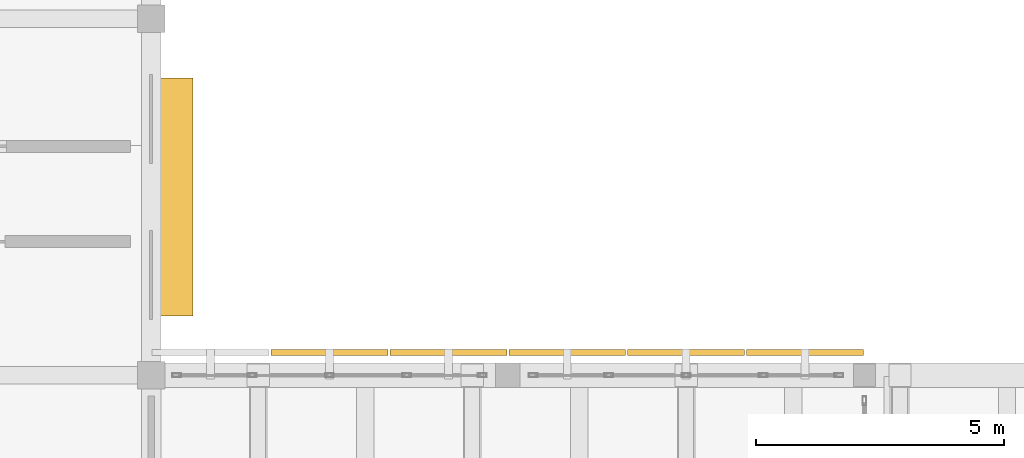
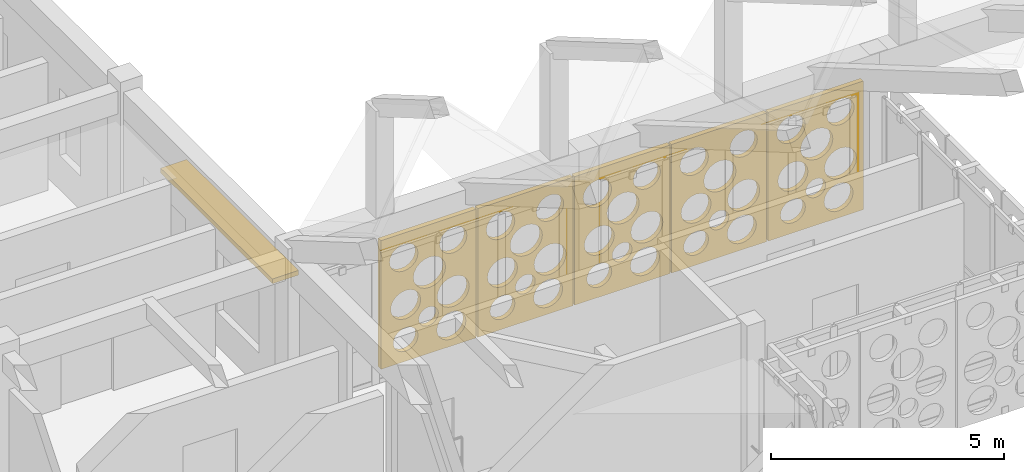
# One storey, part 165 of 171: 5 coverings, 1 shading device.
"""IFC4 building model written with IfcOpenShell, lengths in metres."""

from ifc_helpers import new_model, si_unit, direction, frame, origin, origin_2d, place, context, subcontext, project, spatial, polyline, rectangle, outline, extrude, material, layer, layer_set, type_object, element, save


model = new_model("IFC4")

# Units and contexts
model_context = context("Model", 3, precision=1e-05, world=origin(), true_north=direction((0.0, 1.0)))
body_context = subcontext(model_context, "Body", "Model", "MODEL_VIEW")
ifc_project = project(units=[si_unit("LENGTHUNIT", "METRE"), si_unit("AREAUNIT", "SQUARE_METRE"), si_unit("VOLUMEUNIT", "CUBIC_METRE"), si_unit("PLANEANGLEUNIT", "RADIAN"), si_unit("MASSUNIT", "GRAM", prefix="KILO")], contexts=[model_context])

# Site, building, storey
site_placement = place(None, origin())
site = spatial("IfcSite", under=ifc_project, at=site_placement, CompositionType="ELEMENT")
building_placement = place(site_placement, origin())
building = spatial("IfcBuilding", under=site, at=building_placement, Name="Aldebral Square Health Centre", CompositionType="ELEMENT")
storey_placement = place(building_placement, frame((0.0, 0.0, 4.5)))
storey = spatial("IfcBuildingStorey", under=building, at=storey_placement, Name="L01", CompositionType="ELEMENT", Elevation=4.5)

# Coverings
ifc_material_1 = material(Name="Cream cantera perforated stone screen", Category="masonry")
ifc_layer = layer(ifc_material_1, 0.1201171875, Name="Cream cantera perforated stone screen", Category="masonry")
ifc_layer_set = layer_set([ifc_layer], Name="Cream cantera perforated stone screen")
covering_type = type_object("IfcCoveringType", Name="COV-SCR-120", PredefinedType="CLADDING", material=ifc_layer_set)
covering_1_placement = place(storey_placement, frame((71.97998046875, 101.260009765625, 0.0), z_axis=(0.0, 0.0, 1.0), x_axis=(-1.0, 0.0, 0.0)))
element("IfcCovering", 1, at=covering_1_placement, inside=storey, type_object=covering_type, Name="L01 V1 circular-aperture stone screen L01-V1-09-13-N.1", PredefinedType="CLADDING", context=body_context, shape_type="SweptSolid", body=[
    extrude(outline(polyline([(0.0, 0.0), (2.35986328125, 0.0), (2.35986328125, 3.3701171875), (0.0, 3.3701171875), (0.0, 0.0)]), holes=[polyline([(0.973388671875, 0.539306640625), (0.955810546875, 0.427978515625), (0.90478515625, 0.32763671875), (0.8251953125, 0.248046875), (0.724853515625, 0.197021484375), (0.613525390625, 0.17919921875), (0.50244140625, 0.197021484375), (0.402099609375, 0.248046875), (0.322509765625, 0.32763671875), (0.271240234375, 0.427978515625), (0.253662109375, 0.539306640625), (0.271240234375, 0.650390625), (0.322509765625, 0.750732421875), (0.402099609375, 0.830322265625), (0.50244140625, 0.881591796875), (0.613525390625, 0.899169921875), (0.724853515625, 0.881591796875), (0.8251953125, 0.830322265625), (0.90478515625, 0.750732421875), (0.955810546875, 0.650390625), (0.973388671875, 0.539306640625)]), polyline([(2.0546875, 0.572998046875), (2.039794921875, 0.4775390625), (1.995849609375, 0.3916015625), (1.927734375, 0.323486328125), (1.841796875, 0.279541015625), (1.746337890625, 0.264404296875), (1.651123046875, 0.279541015625), (1.565185546875, 0.323486328125), (1.496826171875, 0.3916015625), (1.453125, 0.4775390625), (1.43798828125, 0.572998046875), (1.453125, 0.668212890625), (1.496826171875, 0.754150390625), (1.565185546875, 0.822509765625), (1.651123046875, 0.8662109375), (1.746337890625, 0.88134765625), (1.841796875, 0.8662109375), (1.927734375, 0.822509765625), (1.995849609375, 0.754150390625), (2.039794921875, 0.668212890625), (2.0546875, 0.572998046875)]), polyline([(0.9619140625, 1.415283203125), (0.942626953125, 1.293212890625), (0.886474609375, 1.182861328125), (0.798828125, 1.095458984375), (0.688720703125, 1.039306640625), (0.56640625, 1.02001953125), (0.444091796875, 1.039306640625), (0.333984375, 1.095458984375), (0.246337890625, 1.182861328125), (0.190185546875, 1.293212890625), (0.1708984375, 1.415283203125), (0.190185546875, 1.53759765625), (0.246337890625, 1.64794921875), (0.333984375, 1.7353515625), (0.444091796875, 1.79150390625), (0.56640625, 1.810791015625), (0.688720703125, 1.79150390625), (0.798828125, 1.7353515625), (0.886474609375, 1.64794921875), (0.942626953125, 1.53759765625), (0.9619140625, 1.415283203125)]), polyline([(2.117919921875, 1.48291015625), (2.099853515625, 1.367919921875), (2.047119140625, 1.264404296875), (1.96484375, 1.18212890625), (1.861328125, 1.12939453125), (1.746337890625, 1.111083984375), (1.631591796875, 1.12939453125), (1.528076171875, 1.18212890625), (1.44580078125, 1.264404296875), (1.39306640625, 1.367919921875), (1.374755859375, 1.48291015625), (1.39306640625, 1.59765625), (1.44580078125, 1.701171875), (1.528076171875, 1.783447265625), (1.631591796875, 1.836181640625), (1.746337890625, 1.8544921875), (1.861328125, 1.836181640625), (1.96484375, 1.783447265625), (2.047119140625, 1.701171875), (2.099853515625, 1.59765625), (2.117919921875, 1.48291015625)]), polyline([(1.4248046875, 0.977294921875), (1.412841796875, 0.901611328125), (1.3779296875, 0.83349609375), (1.32373046875, 0.779296875), (1.255615234375, 0.74462890625), (1.179931640625, 0.732666015625), (1.1044921875, 0.74462890625), (1.0361328125, 0.779296875), (0.98193359375, 0.83349609375), (0.947265625, 0.901611328125), (0.935302734375, 0.977294921875), (0.947265625, 1.052978515625), (0.98193359375, 1.12109375), (1.0361328125, 1.17529296875), (1.1044921875, 1.2099609375), (1.179931640625, 1.221923828125), (1.255615234375, 1.2099609375), (1.32373046875, 1.17529296875), (1.3779296875, 1.12109375), (1.412841796875, 1.052978515625), (1.4248046875, 0.977294921875)]), polyline([(1.555419921875, 2.123046875), (1.535888671875, 1.999755859375), (1.479248046875, 1.888427734375), (1.390869140625, 1.80029296875), (1.27978515625, 1.74365234375), (1.156494140625, 1.72412109375), (1.032958984375, 1.74365234375), (0.921875, 1.80029296875), (0.83349609375, 1.888427734375), (0.77685546875, 1.999755859375), (0.75732421875, 2.123046875), (0.77685546875, 2.246337890625), (0.83349609375, 2.357666015625), (0.921875, 2.446044921875), (1.032958984375, 2.502685546875), (1.156494140625, 2.522216796875), (1.27978515625, 2.502685546875), (1.390869140625, 2.446044921875), (1.479248046875, 2.357666015625), (1.535888671875, 2.246337890625), (1.555419921875, 2.123046875)]), polyline([(0.904296875, 2.763427734375), (0.8876953125, 2.658935546875), (0.839599609375, 2.56494140625), (0.764892578125, 2.490234375), (0.6708984375, 2.442138671875), (0.56640625, 2.425537109375), (0.4619140625, 2.442138671875), (0.367919921875, 2.490234375), (0.293212890625, 2.56494140625), (0.2451171875, 2.658935546875), (0.228515625, 2.763427734375), (0.2451171875, 2.86767578125), (0.293212890625, 2.9619140625), (0.367919921875, 3.03662109375), (0.4619140625, 3.084716796875), (0.56640625, 3.101318359375), (0.6708984375, 3.084716796875), (0.764892578125, 3.03662109375), (0.839599609375, 2.9619140625), (0.8876953125, 2.86767578125), (0.904296875, 2.763427734375)]), polyline([(2.14599609375, 2.729736328125), (2.12890625, 2.620849609375), (2.078857421875, 2.5224609375), (2.000732421875, 2.444580078125), (1.902587890625, 2.39453125), (1.793701171875, 2.377197265625), (1.6845703125, 2.39453125), (1.58642578125, 2.444580078125), (1.50830078125, 2.5224609375), (1.458251953125, 2.620849609375), (1.441162109375, 2.729736328125), (1.458251953125, 2.838623046875), (1.50830078125, 2.93701171875), (1.58642578125, 3.014892578125), (1.6845703125, 3.06494140625), (1.793701171875, 3.082275390625), (1.902587890625, 3.06494140625), (2.000732421875, 3.014892578125), (2.078857421875, 2.93701171875), (2.12890625, 2.838623046875), (2.14599609375, 2.729736328125)])]), frame((0.0, 0.06005859375, 0.0), z_axis=(0.0, -1.0, 0.0), x_axis=(1.0, 0.0, 0.0)), (0.0, 0.0, 1.0), 0.1201171875),
])
covering_2_placement = place(storey_placement, frame((69.580078125, 101.260009765625, 0.0), z_axis=(0.0, 0.0, 1.0), x_axis=(-1.0, 0.0, 0.0)))
element("IfcCovering", 2, at=covering_2_placement, inside=storey, type_object=covering_type, Name="L01 V1 circular-aperture stone screen L01-V1-09-13-N.2", PredefinedType="CLADDING", context=body_context, shape_type="SweptSolid", body=[
    extrude(outline(polyline([(0.0, 0.0), (2.360107421875, 0.0), (2.360107421875, 3.3701171875), (0.0, 3.3701171875), (0.0, 0.0)]), holes=[polyline([(0.973388671875, 0.539306640625), (0.955810546875, 0.427978515625), (0.90478515625, 0.32763671875), (0.8251953125, 0.248046875), (0.724853515625, 0.197021484375), (0.613525390625, 0.17919921875), (0.50244140625, 0.197021484375), (0.402099609375, 0.248046875), (0.322509765625, 0.32763671875), (0.271240234375, 0.427978515625), (0.253662109375, 0.539306640625), (0.271240234375, 0.650390625), (0.322509765625, 0.750732421875), (0.402099609375, 0.830322265625), (0.50244140625, 0.881591796875), (0.613525390625, 0.899169921875), (0.724853515625, 0.881591796875), (0.8251953125, 0.830322265625), (0.90478515625, 0.750732421875), (0.955810546875, 0.650390625), (0.973388671875, 0.539306640625)]), polyline([(2.0546875, 0.572998046875), (2.039794921875, 0.4775390625), (1.995849609375, 0.3916015625), (1.927734375, 0.323486328125), (1.841796875, 0.279541015625), (1.746337890625, 0.264404296875), (1.651123046875, 0.279541015625), (1.565185546875, 0.323486328125), (1.496826171875, 0.3916015625), (1.453125, 0.4775390625), (1.43798828125, 0.572998046875), (1.453125, 0.668212890625), (1.496826171875, 0.754150390625), (1.565185546875, 0.822509765625), (1.651123046875, 0.8662109375), (1.746337890625, 0.88134765625), (1.841796875, 0.8662109375), (1.927734375, 0.822509765625), (1.995849609375, 0.754150390625), (2.039794921875, 0.668212890625), (2.0546875, 0.572998046875)]), polyline([(0.9619140625, 1.415283203125), (0.942626953125, 1.293212890625), (0.886474609375, 1.182861328125), (0.798828125, 1.095458984375), (0.688720703125, 1.039306640625), (0.56640625, 1.02001953125), (0.444091796875, 1.039306640625), (0.333984375, 1.095458984375), (0.246337890625, 1.182861328125), (0.190185546875, 1.293212890625), (0.1708984375, 1.415283203125), (0.190185546875, 1.53759765625), (0.246337890625, 1.64794921875), (0.333984375, 1.7353515625), (0.444091796875, 1.79150390625), (0.56640625, 1.810791015625), (0.688720703125, 1.79150390625), (0.798828125, 1.7353515625), (0.886474609375, 1.64794921875), (0.942626953125, 1.53759765625), (0.9619140625, 1.415283203125)]), polyline([(2.117919921875, 1.48291015625), (2.099853515625, 1.367919921875), (2.047119140625, 1.264404296875), (1.96484375, 1.18212890625), (1.861328125, 1.12939453125), (1.746337890625, 1.111083984375), (1.631591796875, 1.12939453125), (1.528076171875, 1.18212890625), (1.44580078125, 1.264404296875), (1.39306640625, 1.367919921875), (1.374755859375, 1.48291015625), (1.39306640625, 1.59765625), (1.44580078125, 1.701171875), (1.528076171875, 1.783447265625), (1.631591796875, 1.836181640625), (1.746337890625, 1.8544921875), (1.861328125, 1.836181640625), (1.96484375, 1.783447265625), (2.047119140625, 1.701171875), (2.099853515625, 1.59765625), (2.117919921875, 1.48291015625)]), polyline([(1.4248046875, 0.977294921875), (1.412841796875, 0.901611328125), (1.3779296875, 0.83349609375), (1.32373046875, 0.779296875), (1.255615234375, 0.74462890625), (1.179931640625, 0.732666015625), (1.1044921875, 0.74462890625), (1.0361328125, 0.779296875), (0.98193359375, 0.83349609375), (0.947265625, 0.901611328125), (0.935302734375, 0.977294921875), (0.947265625, 1.052978515625), (0.98193359375, 1.12109375), (1.0361328125, 1.17529296875), (1.1044921875, 1.2099609375), (1.179931640625, 1.221923828125), (1.255615234375, 1.2099609375), (1.32373046875, 1.17529296875), (1.3779296875, 1.12109375), (1.412841796875, 1.052978515625), (1.4248046875, 0.977294921875)]), polyline([(1.555419921875, 2.123046875), (1.535888671875, 1.999755859375), (1.479248046875, 1.888427734375), (1.390869140625, 1.80029296875), (1.27978515625, 1.74365234375), (1.156494140625, 1.72412109375), (1.032958984375, 1.74365234375), (0.921875, 1.80029296875), (0.83349609375, 1.888427734375), (0.77685546875, 1.999755859375), (0.75732421875, 2.123046875), (0.77685546875, 2.246337890625), (0.83349609375, 2.357666015625), (0.921875, 2.446044921875), (1.032958984375, 2.502685546875), (1.156494140625, 2.522216796875), (1.27978515625, 2.502685546875), (1.390869140625, 2.446044921875), (1.479248046875, 2.357666015625), (1.535888671875, 2.246337890625), (1.555419921875, 2.123046875)]), polyline([(0.904296875, 2.763427734375), (0.8876953125, 2.658935546875), (0.839599609375, 2.56494140625), (0.764892578125, 2.490234375), (0.6708984375, 2.442138671875), (0.56640625, 2.425537109375), (0.4619140625, 2.442138671875), (0.367919921875, 2.490234375), (0.293212890625, 2.56494140625), (0.2451171875, 2.658935546875), (0.228515625, 2.763427734375), (0.2451171875, 2.86767578125), (0.293212890625, 2.9619140625), (0.367919921875, 3.03662109375), (0.4619140625, 3.084716796875), (0.56640625, 3.101318359375), (0.6708984375, 3.084716796875), (0.764892578125, 3.03662109375), (0.839599609375, 2.9619140625), (0.8876953125, 2.86767578125), (0.904296875, 2.763427734375)]), polyline([(2.14599609375, 2.729736328125), (2.12890625, 2.620849609375), (2.078857421875, 2.5224609375), (2.000732421875, 2.444580078125), (1.902587890625, 2.39453125), (1.793701171875, 2.377197265625), (1.6845703125, 2.39453125), (1.58642578125, 2.444580078125), (1.50830078125, 2.5224609375), (1.458251953125, 2.620849609375), (1.441162109375, 2.729736328125), (1.458251953125, 2.838623046875), (1.50830078125, 2.93701171875), (1.58642578125, 3.014892578125), (1.6845703125, 3.06494140625), (1.793701171875, 3.082275390625), (1.902587890625, 3.06494140625), (2.000732421875, 3.014892578125), (2.078857421875, 2.93701171875), (2.12890625, 2.838623046875), (2.14599609375, 2.729736328125)])]), frame((0.0, 0.06005859375, 0.0), z_axis=(0.0, -1.0, 0.0), x_axis=(1.0, 0.0, 0.0)), (0.0, 0.0, 1.0), 0.1201171875),
])
covering_3_placement = place(storey_placement, frame((79.179931640625, 101.260009765625, 0.0), z_axis=(0.0, 0.0, 1.0), x_axis=(-1.0, 0.0, 0.0)))
element("IfcCovering", 3, at=covering_3_placement, inside=storey, type_object=covering_type, Name="L01 V1 circular-aperture stone screen L01-V1-10-13-N.1", PredefinedType="CLADDING", context=body_context, shape_type="SweptSolid", body=[
    extrude(outline(polyline([(0.0, 0.0), (2.35986328125, 0.0), (2.35986328125, 3.3701171875), (0.0, 3.3701171875), (0.0, 0.0)]), holes=[polyline([(0.973388671875, 0.539306640625), (0.955810546875, 0.427978515625), (0.90478515625, 0.32763671875), (0.8251953125, 0.248046875), (0.724853515625, 0.197021484375), (0.613525390625, 0.17919921875), (0.50244140625, 0.197021484375), (0.402099609375, 0.248046875), (0.322509765625, 0.32763671875), (0.271240234375, 0.427978515625), (0.253662109375, 0.539306640625), (0.271240234375, 0.650390625), (0.322509765625, 0.750732421875), (0.402099609375, 0.830322265625), (0.50244140625, 0.881591796875), (0.613525390625, 0.899169921875), (0.724853515625, 0.881591796875), (0.8251953125, 0.830322265625), (0.90478515625, 0.750732421875), (0.955810546875, 0.650390625), (0.973388671875, 0.539306640625)]), polyline([(2.0546875, 0.572998046875), (2.039794921875, 0.4775390625), (1.995849609375, 0.3916015625), (1.927734375, 0.323486328125), (1.841796875, 0.279541015625), (1.746337890625, 0.264404296875), (1.651123046875, 0.279541015625), (1.565185546875, 0.323486328125), (1.496826171875, 0.3916015625), (1.453125, 0.4775390625), (1.43798828125, 0.572998046875), (1.453125, 0.668212890625), (1.496826171875, 0.754150390625), (1.565185546875, 0.822509765625), (1.651123046875, 0.8662109375), (1.746337890625, 0.88134765625), (1.841796875, 0.8662109375), (1.927734375, 0.822509765625), (1.995849609375, 0.754150390625), (2.039794921875, 0.668212890625), (2.0546875, 0.572998046875)]), polyline([(0.9619140625, 1.415283203125), (0.942626953125, 1.293212890625), (0.886474609375, 1.182861328125), (0.798828125, 1.095458984375), (0.688720703125, 1.039306640625), (0.56640625, 1.02001953125), (0.444091796875, 1.039306640625), (0.333984375, 1.095458984375), (0.246337890625, 1.182861328125), (0.190185546875, 1.293212890625), (0.1708984375, 1.415283203125), (0.190185546875, 1.53759765625), (0.246337890625, 1.64794921875), (0.333984375, 1.7353515625), (0.444091796875, 1.79150390625), (0.56640625, 1.810791015625), (0.688720703125, 1.79150390625), (0.798828125, 1.7353515625), (0.886474609375, 1.64794921875), (0.942626953125, 1.53759765625), (0.9619140625, 1.415283203125)]), polyline([(2.117919921875, 1.48291015625), (2.099853515625, 1.367919921875), (2.047119140625, 1.264404296875), (1.96484375, 1.18212890625), (1.861328125, 1.12939453125), (1.746337890625, 1.111083984375), (1.631591796875, 1.12939453125), (1.528076171875, 1.18212890625), (1.44580078125, 1.264404296875), (1.39306640625, 1.367919921875), (1.374755859375, 1.48291015625), (1.39306640625, 1.59765625), (1.44580078125, 1.701171875), (1.528076171875, 1.783447265625), (1.631591796875, 1.836181640625), (1.746337890625, 1.8544921875), (1.861328125, 1.836181640625), (1.96484375, 1.783447265625), (2.047119140625, 1.701171875), (2.099853515625, 1.59765625), (2.117919921875, 1.48291015625)]), polyline([(1.4248046875, 0.977294921875), (1.412841796875, 0.901611328125), (1.3779296875, 0.83349609375), (1.32373046875, 0.779296875), (1.255615234375, 0.74462890625), (1.179931640625, 0.732666015625), (1.1044921875, 0.74462890625), (1.0361328125, 0.779296875), (0.98193359375, 0.83349609375), (0.947265625, 0.901611328125), (0.935302734375, 0.977294921875), (0.947265625, 1.052978515625), (0.98193359375, 1.12109375), (1.0361328125, 1.17529296875), (1.1044921875, 1.2099609375), (1.179931640625, 1.221923828125), (1.255615234375, 1.2099609375), (1.32373046875, 1.17529296875), (1.3779296875, 1.12109375), (1.412841796875, 1.052978515625), (1.4248046875, 0.977294921875)]), polyline([(1.555419921875, 2.123046875), (1.535888671875, 1.999755859375), (1.479248046875, 1.888427734375), (1.390869140625, 1.80029296875), (1.27978515625, 1.74365234375), (1.156494140625, 1.72412109375), (1.032958984375, 1.74365234375), (0.921875, 1.80029296875), (0.83349609375, 1.888427734375), (0.77685546875, 1.999755859375), (0.75732421875, 2.123046875), (0.77685546875, 2.246337890625), (0.83349609375, 2.357666015625), (0.921875, 2.446044921875), (1.032958984375, 2.502685546875), (1.156494140625, 2.522216796875), (1.27978515625, 2.502685546875), (1.390869140625, 2.446044921875), (1.479248046875, 2.357666015625), (1.535888671875, 2.246337890625), (1.555419921875, 2.123046875)]), polyline([(0.904296875, 2.763427734375), (0.8876953125, 2.658935546875), (0.839599609375, 2.56494140625), (0.764892578125, 2.490234375), (0.6708984375, 2.442138671875), (0.56640625, 2.425537109375), (0.4619140625, 2.442138671875), (0.367919921875, 2.490234375), (0.293212890625, 2.56494140625), (0.2451171875, 2.658935546875), (0.228515625, 2.763427734375), (0.2451171875, 2.86767578125), (0.293212890625, 2.9619140625), (0.367919921875, 3.03662109375), (0.4619140625, 3.084716796875), (0.56640625, 3.101318359375), (0.6708984375, 3.084716796875), (0.764892578125, 3.03662109375), (0.839599609375, 2.9619140625), (0.8876953125, 2.86767578125), (0.904296875, 2.763427734375)]), polyline([(2.14599609375, 2.729736328125), (2.12890625, 2.620849609375), (2.078857421875, 2.5224609375), (2.000732421875, 2.444580078125), (1.902587890625, 2.39453125), (1.793701171875, 2.377197265625), (1.6845703125, 2.39453125), (1.58642578125, 2.444580078125), (1.50830078125, 2.5224609375), (1.458251953125, 2.620849609375), (1.441162109375, 2.729736328125), (1.458251953125, 2.838623046875), (1.50830078125, 2.93701171875), (1.58642578125, 3.014892578125), (1.6845703125, 3.06494140625), (1.793701171875, 3.082275390625), (1.902587890625, 3.06494140625), (2.000732421875, 3.014892578125), (2.078857421875, 2.93701171875), (2.12890625, 2.838623046875), (2.14599609375, 2.729736328125)])]), frame((0.0, 0.06005859375, 0.0), z_axis=(0.0, -1.0, 0.0), x_axis=(1.0, 0.0, 0.0)), (0.0, 0.0, 1.0), 0.1201171875),
])
covering_4_placement = place(storey_placement, frame((76.780029296875, 101.260009765625, 0.0), z_axis=(0.0, 0.0, 1.0), x_axis=(-1.0, 0.0, 0.0)))
element("IfcCovering", 4, at=covering_4_placement, inside=storey, type_object=covering_type, Name="L01 V1 circular-aperture stone screen L01-V1-10-13-N.2", PredefinedType="CLADDING", context=body_context, shape_type="SweptSolid", body=[
    extrude(outline(polyline([(0.0, 0.0), (2.360107421875, 0.0), (2.360107421875, 3.3701171875), (0.0, 3.3701171875), (0.0, 0.0)]), holes=[polyline([(0.973388671875, 0.539306640625), (0.955810546875, 0.427978515625), (0.90478515625, 0.32763671875), (0.8251953125, 0.248046875), (0.724853515625, 0.197021484375), (0.613525390625, 0.17919921875), (0.50244140625, 0.197021484375), (0.402099609375, 0.248046875), (0.322509765625, 0.32763671875), (0.271240234375, 0.427978515625), (0.253662109375, 0.539306640625), (0.271240234375, 0.650390625), (0.322509765625, 0.750732421875), (0.402099609375, 0.830322265625), (0.50244140625, 0.881591796875), (0.613525390625, 0.899169921875), (0.724853515625, 0.881591796875), (0.8251953125, 0.830322265625), (0.90478515625, 0.750732421875), (0.955810546875, 0.650390625), (0.973388671875, 0.539306640625)]), polyline([(2.0546875, 0.572998046875), (2.039794921875, 0.4775390625), (1.995849609375, 0.3916015625), (1.927734375, 0.323486328125), (1.841796875, 0.279541015625), (1.746337890625, 0.264404296875), (1.651123046875, 0.279541015625), (1.565185546875, 0.323486328125), (1.496826171875, 0.3916015625), (1.453125, 0.4775390625), (1.43798828125, 0.572998046875), (1.453125, 0.668212890625), (1.496826171875, 0.754150390625), (1.565185546875, 0.822509765625), (1.651123046875, 0.8662109375), (1.746337890625, 0.88134765625), (1.841796875, 0.8662109375), (1.927734375, 0.822509765625), (1.995849609375, 0.754150390625), (2.039794921875, 0.668212890625), (2.0546875, 0.572998046875)]), polyline([(0.9619140625, 1.415283203125), (0.942626953125, 1.293212890625), (0.886474609375, 1.182861328125), (0.798828125, 1.095458984375), (0.688720703125, 1.039306640625), (0.56640625, 1.02001953125), (0.444091796875, 1.039306640625), (0.333984375, 1.095458984375), (0.246337890625, 1.182861328125), (0.190185546875, 1.293212890625), (0.1708984375, 1.415283203125), (0.190185546875, 1.53759765625), (0.246337890625, 1.64794921875), (0.333984375, 1.7353515625), (0.444091796875, 1.79150390625), (0.56640625, 1.810791015625), (0.688720703125, 1.79150390625), (0.798828125, 1.7353515625), (0.886474609375, 1.64794921875), (0.942626953125, 1.53759765625), (0.9619140625, 1.415283203125)]), polyline([(2.117919921875, 1.48291015625), (2.099853515625, 1.367919921875), (2.047119140625, 1.264404296875), (1.96484375, 1.18212890625), (1.861328125, 1.12939453125), (1.746337890625, 1.111083984375), (1.631591796875, 1.12939453125), (1.528076171875, 1.18212890625), (1.44580078125, 1.264404296875), (1.39306640625, 1.367919921875), (1.374755859375, 1.48291015625), (1.39306640625, 1.59765625), (1.44580078125, 1.701171875), (1.528076171875, 1.783447265625), (1.631591796875, 1.836181640625), (1.746337890625, 1.8544921875), (1.861328125, 1.836181640625), (1.96484375, 1.783447265625), (2.047119140625, 1.701171875), (2.099853515625, 1.59765625), (2.117919921875, 1.48291015625)]), polyline([(1.4248046875, 0.977294921875), (1.412841796875, 0.901611328125), (1.3779296875, 0.83349609375), (1.32373046875, 0.779296875), (1.255615234375, 0.74462890625), (1.179931640625, 0.732666015625), (1.1044921875, 0.74462890625), (1.0361328125, 0.779296875), (0.98193359375, 0.83349609375), (0.947265625, 0.901611328125), (0.935302734375, 0.977294921875), (0.947265625, 1.052978515625), (0.98193359375, 1.12109375), (1.0361328125, 1.17529296875), (1.1044921875, 1.2099609375), (1.179931640625, 1.221923828125), (1.255615234375, 1.2099609375), (1.32373046875, 1.17529296875), (1.3779296875, 1.12109375), (1.412841796875, 1.052978515625), (1.4248046875, 0.977294921875)]), polyline([(1.555419921875, 2.123046875), (1.535888671875, 1.999755859375), (1.479248046875, 1.888427734375), (1.390869140625, 1.80029296875), (1.27978515625, 1.74365234375), (1.156494140625, 1.72412109375), (1.032958984375, 1.74365234375), (0.921875, 1.80029296875), (0.83349609375, 1.888427734375), (0.77685546875, 1.999755859375), (0.75732421875, 2.123046875), (0.77685546875, 2.246337890625), (0.83349609375, 2.357666015625), (0.921875, 2.446044921875), (1.032958984375, 2.502685546875), (1.156494140625, 2.522216796875), (1.27978515625, 2.502685546875), (1.390869140625, 2.446044921875), (1.479248046875, 2.357666015625), (1.535888671875, 2.246337890625), (1.555419921875, 2.123046875)]), polyline([(0.904296875, 2.763427734375), (0.8876953125, 2.658935546875), (0.839599609375, 2.56494140625), (0.764892578125, 2.490234375), (0.6708984375, 2.442138671875), (0.56640625, 2.425537109375), (0.4619140625, 2.442138671875), (0.367919921875, 2.490234375), (0.293212890625, 2.56494140625), (0.2451171875, 2.658935546875), (0.228515625, 2.763427734375), (0.2451171875, 2.86767578125), (0.293212890625, 2.9619140625), (0.367919921875, 3.03662109375), (0.4619140625, 3.084716796875), (0.56640625, 3.101318359375), (0.6708984375, 3.084716796875), (0.764892578125, 3.03662109375), (0.839599609375, 2.9619140625), (0.8876953125, 2.86767578125), (0.904296875, 2.763427734375)]), polyline([(2.14599609375, 2.729736328125), (2.12890625, 2.620849609375), (2.078857421875, 2.5224609375), (2.000732421875, 2.444580078125), (1.902587890625, 2.39453125), (1.793701171875, 2.377197265625), (1.6845703125, 2.39453125), (1.58642578125, 2.444580078125), (1.50830078125, 2.5224609375), (1.458251953125, 2.620849609375), (1.441162109375, 2.729736328125), (1.458251953125, 2.838623046875), (1.50830078125, 2.93701171875), (1.58642578125, 3.014892578125), (1.6845703125, 3.06494140625), (1.793701171875, 3.082275390625), (1.902587890625, 3.06494140625), (2.000732421875, 3.014892578125), (2.078857421875, 2.93701171875), (2.12890625, 2.838623046875), (2.14599609375, 2.729736328125)])]), frame((0.0, 0.06005859375, 0.0), z_axis=(0.0, -1.0, 0.0), x_axis=(1.0, 0.0, 0.0)), (0.0, 0.0, 1.0), 0.1201171875),
])
covering_5_placement = place(storey_placement, frame((74.3798828125, 101.260009765625, 0.0), z_axis=(0.0, 0.0, 1.0), x_axis=(-1.0, 0.0, 0.0)))
element("IfcCovering", 5, at=covering_5_placement, inside=storey, type_object=covering_type, Name="L01 V1 circular-aperture stone screen L01-V1-10-13-N.3", PredefinedType="CLADDING", context=body_context, shape_type="SweptSolid", body=[
    extrude(outline(polyline([(0.0, 0.0), (2.35986328125, 0.0), (2.35986328125, 3.3701171875), (0.0, 3.3701171875), (0.0, 0.0)]), holes=[polyline([(0.973388671875, 0.539306640625), (0.955810546875, 0.427978515625), (0.90478515625, 0.32763671875), (0.8251953125, 0.248046875), (0.724853515625, 0.197021484375), (0.613525390625, 0.17919921875), (0.50244140625, 0.197021484375), (0.402099609375, 0.248046875), (0.322509765625, 0.32763671875), (0.271240234375, 0.427978515625), (0.253662109375, 0.539306640625), (0.271240234375, 0.650390625), (0.322509765625, 0.750732421875), (0.402099609375, 0.830322265625), (0.50244140625, 0.881591796875), (0.613525390625, 0.899169921875), (0.724853515625, 0.881591796875), (0.8251953125, 0.830322265625), (0.90478515625, 0.750732421875), (0.955810546875, 0.650390625), (0.973388671875, 0.539306640625)]), polyline([(2.0546875, 0.572998046875), (2.039794921875, 0.4775390625), (1.995849609375, 0.3916015625), (1.927734375, 0.323486328125), (1.841796875, 0.279541015625), (1.746337890625, 0.264404296875), (1.651123046875, 0.279541015625), (1.565185546875, 0.323486328125), (1.496826171875, 0.3916015625), (1.453125, 0.4775390625), (1.43798828125, 0.572998046875), (1.453125, 0.668212890625), (1.496826171875, 0.754150390625), (1.565185546875, 0.822509765625), (1.651123046875, 0.8662109375), (1.746337890625, 0.88134765625), (1.841796875, 0.8662109375), (1.927734375, 0.822509765625), (1.995849609375, 0.754150390625), (2.039794921875, 0.668212890625), (2.0546875, 0.572998046875)]), polyline([(0.9619140625, 1.415283203125), (0.942626953125, 1.293212890625), (0.886474609375, 1.182861328125), (0.798828125, 1.095458984375), (0.688720703125, 1.039306640625), (0.56640625, 1.02001953125), (0.444091796875, 1.039306640625), (0.333984375, 1.095458984375), (0.246337890625, 1.182861328125), (0.190185546875, 1.293212890625), (0.1708984375, 1.415283203125), (0.190185546875, 1.53759765625), (0.246337890625, 1.64794921875), (0.333984375, 1.7353515625), (0.444091796875, 1.79150390625), (0.56640625, 1.810791015625), (0.688720703125, 1.79150390625), (0.798828125, 1.7353515625), (0.886474609375, 1.64794921875), (0.942626953125, 1.53759765625), (0.9619140625, 1.415283203125)]), polyline([(2.117919921875, 1.48291015625), (2.099853515625, 1.367919921875), (2.047119140625, 1.264404296875), (1.96484375, 1.18212890625), (1.861328125, 1.12939453125), (1.746337890625, 1.111083984375), (1.631591796875, 1.12939453125), (1.528076171875, 1.18212890625), (1.44580078125, 1.264404296875), (1.39306640625, 1.367919921875), (1.374755859375, 1.48291015625), (1.39306640625, 1.59765625), (1.44580078125, 1.701171875), (1.528076171875, 1.783447265625), (1.631591796875, 1.836181640625), (1.746337890625, 1.8544921875), (1.861328125, 1.836181640625), (1.96484375, 1.783447265625), (2.047119140625, 1.701171875), (2.099853515625, 1.59765625), (2.117919921875, 1.48291015625)]), polyline([(1.4248046875, 0.977294921875), (1.412841796875, 0.901611328125), (1.3779296875, 0.83349609375), (1.32373046875, 0.779296875), (1.255615234375, 0.74462890625), (1.179931640625, 0.732666015625), (1.1044921875, 0.74462890625), (1.0361328125, 0.779296875), (0.98193359375, 0.83349609375), (0.947265625, 0.901611328125), (0.935302734375, 0.977294921875), (0.947265625, 1.052978515625), (0.98193359375, 1.12109375), (1.0361328125, 1.17529296875), (1.1044921875, 1.2099609375), (1.179931640625, 1.221923828125), (1.255615234375, 1.2099609375), (1.32373046875, 1.17529296875), (1.3779296875, 1.12109375), (1.412841796875, 1.052978515625), (1.4248046875, 0.977294921875)]), polyline([(1.555419921875, 2.123046875), (1.535888671875, 1.999755859375), (1.479248046875, 1.888427734375), (1.390869140625, 1.80029296875), (1.27978515625, 1.74365234375), (1.156494140625, 1.72412109375), (1.032958984375, 1.74365234375), (0.921875, 1.80029296875), (0.83349609375, 1.888427734375), (0.77685546875, 1.999755859375), (0.75732421875, 2.123046875), (0.77685546875, 2.246337890625), (0.83349609375, 2.357666015625), (0.921875, 2.446044921875), (1.032958984375, 2.502685546875), (1.156494140625, 2.522216796875), (1.27978515625, 2.502685546875), (1.390869140625, 2.446044921875), (1.479248046875, 2.357666015625), (1.535888671875, 2.246337890625), (1.555419921875, 2.123046875)]), polyline([(0.904296875, 2.763427734375), (0.8876953125, 2.658935546875), (0.839599609375, 2.56494140625), (0.764892578125, 2.490234375), (0.6708984375, 2.442138671875), (0.56640625, 2.425537109375), (0.4619140625, 2.442138671875), (0.367919921875, 2.490234375), (0.293212890625, 2.56494140625), (0.2451171875, 2.658935546875), (0.228515625, 2.763427734375), (0.2451171875, 2.86767578125), (0.293212890625, 2.9619140625), (0.367919921875, 3.03662109375), (0.4619140625, 3.084716796875), (0.56640625, 3.101318359375), (0.6708984375, 3.084716796875), (0.764892578125, 3.03662109375), (0.839599609375, 2.9619140625), (0.8876953125, 2.86767578125), (0.904296875, 2.763427734375)]), polyline([(2.14599609375, 2.729736328125), (2.12890625, 2.620849609375), (2.078857421875, 2.5224609375), (2.000732421875, 2.444580078125), (1.902587890625, 2.39453125), (1.793701171875, 2.377197265625), (1.6845703125, 2.39453125), (1.58642578125, 2.444580078125), (1.50830078125, 2.5224609375), (1.458251953125, 2.620849609375), (1.441162109375, 2.729736328125), (1.458251953125, 2.838623046875), (1.50830078125, 2.93701171875), (1.58642578125, 3.014892578125), (1.6845703125, 3.06494140625), (1.793701171875, 3.082275390625), (1.902587890625, 3.06494140625), (2.000732421875, 3.014892578125), (2.078857421875, 2.93701171875), (2.12890625, 2.838623046875), (2.14599609375, 2.729736328125)])]), frame((0.0, 0.06005859375, 0.0), z_axis=(0.0, -1.0, 0.0), x_axis=(1.0, 0.0, 0.0)), (0.0, 0.0, 1.0), 0.1201171875),
])

# Shading device
ifc_material_2 = material(Name="Sienna-terracotta solar hood", Category="masonry")
shading_device_type = type_object("IfcShadingDeviceType", Name="SHD-LVR-1", PredefinedType="JALOUSIE", material=ifc_material_2)
shading_device_placement = place(storey_placement, frame((65.31494140625, 104.39990234375, 2.5400390625), z_axis=(0.0, 0.0, 1.0), x_axis=(0.0, 1.0, 0.0)))
element("IfcShadingDevice", 6, at=shading_device_placement, inside=storey, type_object=shading_device_type, Name="L01 solar hood L01-V2-08-14-E", PredefinedType="JALOUSIE", context=body_context, shape_type="SweptSolid", body=[
    extrude(rectangle(XDim=4.800048828125, YDim=0.64990234375, at=origin_2d()), origin(), (0.0, 0.0, 1.0), 0.1201171875),
])

save(model, "model.ifc")
